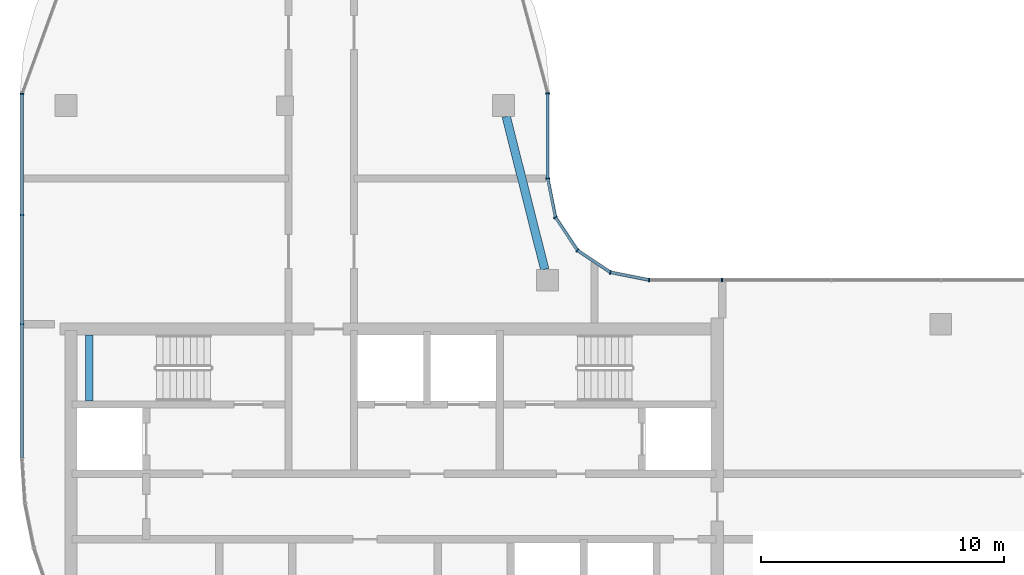
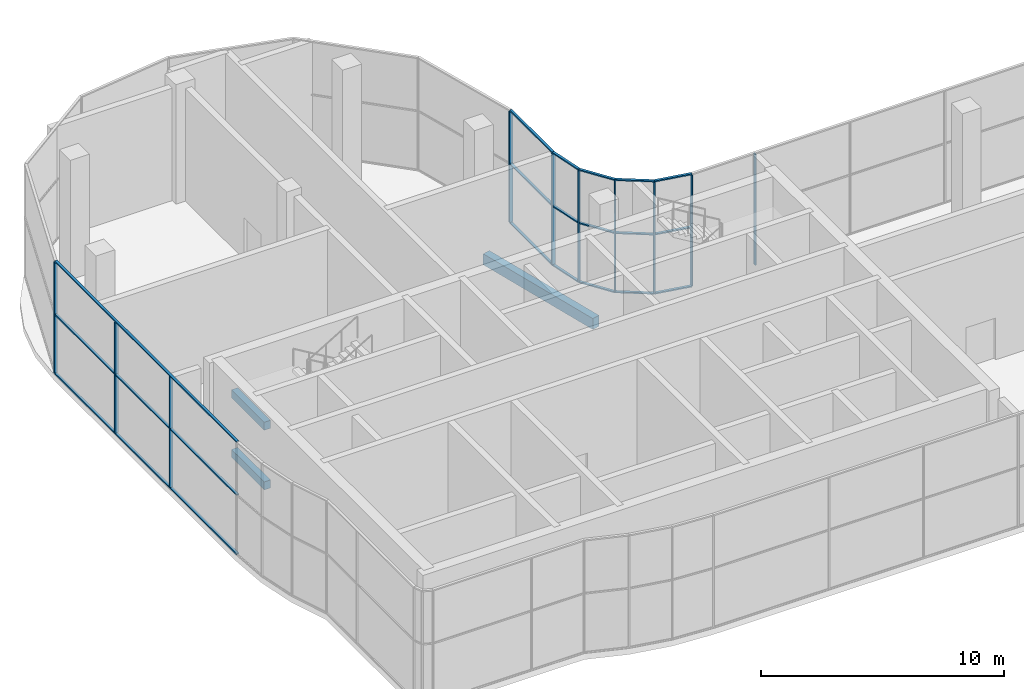
# One storey, part 3 of 19: 28 members, 3 beams, 4 elements without a shape of their own.
"""IFC4 building model written with IfcOpenShell, lengths in metres."""

from ifc_helpers import new_model, si_unit, direction, frame, origin, origin_2d, place, context, subcontext, project, spatial, rectangle, extrude, material, material_profile, profile_set, type_object, element, aggregate, save


model = new_model("IFC4")

# Units and contexts
model_context = context("Model", 3, precision=1e-05, world=origin(), true_north=direction((0.0, 1.0)))
body_context = subcontext(model_context, "Body", "Model", "MODEL_VIEW")
ifc_project = project(units=[si_unit("LENGTHUNIT", "METRE"), si_unit("AREAUNIT", "SQUARE_METRE"), si_unit("VOLUMEUNIT", "CUBIC_METRE"), si_unit("PLANEANGLEUNIT", "RADIAN"), si_unit("MASSUNIT", "GRAM", prefix="KILO")], contexts=[model_context])

# Site, building, storey
site_placement = place(None, origin())
site = spatial("IfcSite", under=ifc_project, at=site_placement, CompositionType="ELEMENT")
building_placement = place(site_placement, origin())
building = spatial("IfcBuilding", under=site, at=building_placement, Name="Ogive Portal Towers", CompositionType="ELEMENT")
storey_placement = place(building_placement, frame((0.0, 0.0, 254.89990234375)))
storey = spatial("IfcBuildingStorey", under=building, at=storey_placement, Name="L63", CompositionType="ELEMENT", Elevation=254.89990234375)

# Beams
ifc_material_1 = material(Name="Concrete C40/50", Category="concrete")
ifc_material_profile_1 = material_profile(ifc_material_1, rectangle(XDim=0.300048828125, YDim=0.39990234375, at=origin_2d()), Name="RC 300x400")
ifc_profile_set_1 = profile_set([ifc_material_profile_1], Name="Concrete C40/50")
beam_type_1 = type_object("IfcBeamType", Name="BEAM RC 300x400", PredefinedType="BEAM", material=ifc_profile_set_1)
for number, where, z_axis, x_axis, name in (
    (1, (32.449951171875, 36.35009765625, 1.10009765625), (0.0, 1.0, 0.0), (-1.0, 0.0, 0.0), "Landing beam L63"),
    (2, (32.449951171875, 36.35009765625, 4.10009765625), (0.0, 1.0, 0.0), (-1.0, 0.0, 0.0), "Landing beam L63"),
):
    element("IfcBeam", number, at=place(storey_placement, frame(where, z_axis=z_axis, x_axis=x_axis)), inside=storey, type_object=beam_type_1, Name=name, PredefinedType="BEAM", context=body_context, shape_type="SweptSolid", body=[
        extrude(rectangle(XDim=0.300048828125, YDim=0.39990234375, at=origin_2d()), origin(), (0.0, 0.0, 1.0), 2.699951171875),
    ])

# Curtain wall, members
ifc_material_2 = material(Name="Glass, clear low-iron insulated glazing", Category="glass")
curtain_wall_type = type_object("IfcCurtainWallType", Name="CW OBSERVATION WALL", PredefinedType="NOTDEFINED", material=ifc_material_2)
curtain_wall_1_placement = place(storey_placement, origin())
curtain_wall_1 = element("IfcCurtainWall", 3, at=curtain_wall_1_placement, inside=storey, type_object=curtain_wall_type, Name="A:L63:f13:cw0", PredefinedType="NOTDEFINED")
ifc_material_3 = material(Name="Aluminium 6063 anodised", Category="aluminium")
ifc_material_profile_2 = material_profile(ifc_material_3, rectangle(XDim=0.159912109375, YDim=0.06005859375, at=origin_2d()), Name="AL 60x160")
ifc_profile_set_2 = profile_set([ifc_material_profile_2], Name="Aluminium 6063 anodised")
member_type_1 = type_object("IfcMemberType", Name="CW MULLION 60x160", PredefinedType="MULLION", material=ifc_profile_set_2)
member_1_placement = place(storey_placement, frame((58.5, 41.320068359375, 0.06005859375), z_axis=(0.0, 0.0, 1.0), x_axis=(0.0, -1.0, 0.0)))
member_1 = element("IfcMember", 4, at=member_1_placement, type_object=member_type_1, Name="mullion", PredefinedType="MULLION", context=body_context, shape_type="SweptSolid", body=[
    extrude(rectangle(XDim=0.159912109375, YDim=0.06005859375, at=origin_2d()), origin(), (0.0, 0.0, 1.0), 5.580078125),
])
member_2_placement = place(storey_placement, frame((55.4921875, 41.320068359375, 0.06005859375), z_axis=(0.0, 0.0, 1.0), x_axis=(0.0, -1.0, 0.0)))
member_2 = element("IfcMember", 5, at=member_2_placement, type_object=member_type_1, Name="mullion", PredefinedType="MULLION", context=body_context, shape_type="SweptSolid", body=[
    extrude(rectangle(XDim=0.159912109375, YDim=0.06005859375, at=origin_2d()), origin(), (0.0, 0.0, 1.0), 5.580078125),
])
aggregate(curtain_wall_1, [member_1, member_2])

curtain_wall_2_placement = place(storey_placement, origin())
curtain_wall_2 = element("IfcCurtainWall", 6, at=curtain_wall_2_placement, inside=storey, type_object=curtain_wall_type, Name="A:L63:f18:cw0", PredefinedType="NOTDEFINED")
member_3_placement = place(storey_placement, frame((51.320068359375, 45.4921875, 0.06005859375), z_axis=(0.0, 0.0, 1.0), x_axis=(-1.0, 0.0, 0.0)))
member_3 = element("IfcMember", 7, at=member_3_placement, type_object=member_type_1, Name="mullion", PredefinedType="MULLION", context=body_context, shape_type="SweptSolid", body=[
    extrude(rectangle(XDim=0.159912109375, YDim=0.06005859375, at=origin_2d()), origin(), (0.0, 0.0, 1.0), 5.580078125),
])
member_4_placement = place(storey_placement, frame((51.320068359375, 48.989501953125, 0.06005859375), z_axis=(0.0, 0.0, 1.0), x_axis=(-1.0, 0.0, 0.0)))
member_4 = element("IfcMember", 8, at=member_4_placement, type_object=member_type_1, Name="mullion", PredefinedType="MULLION", context=body_context, shape_type="SweptSolid", body=[
    extrude(rectangle(XDim=0.159912109375, YDim=0.06005859375, at=origin_2d()), origin(), (0.0, 0.0, 1.0), 5.580078125),
])

curtain_wall_3_placement = place(storey_placement, origin())
curtain_wall_3 = element("IfcCurtainWall", 9, at=curtain_wall_3_placement, inside=storey, type_object=curtain_wall_type, Name="A:L63:f25:cw0", PredefinedType="NOTDEFINED")
member_5_placement = place(storey_placement, frame((29.679931640625, 48.98583984375, 0.06005859375), z_axis=(0.0, 0.0, 1.0), x_axis=(1.0, 0.0, 0.0)))
member_5 = element("IfcMember", 10, at=member_5_placement, type_object=member_type_1, Name="mullion", PredefinedType="MULLION", context=body_context, shape_type="SweptSolid", body=[
    extrude(rectangle(XDim=0.159912109375, YDim=0.06005859375, at=origin_2d()), origin(), (0.0, 0.0, 1.0), 5.580078125),
])
member_6_placement = place(storey_placement, frame((29.679931640625, 44.0, 0.06005859375), z_axis=(0.0, 0.0, 1.0), x_axis=(1.0, 0.0, 0.0)))
member_6 = element("IfcMember", 11, at=member_6_placement, type_object=member_type_1, Name="mullion", PredefinedType="MULLION", context=body_context, shape_type="SweptSolid", body=[
    extrude(rectangle(XDim=0.159912109375, YDim=0.06005859375, at=origin_2d()), origin(), (0.0, 0.0, 1.0), 5.580078125),
])
member_7_placement = place(storey_placement, frame((29.679931640625, 39.5, 0.06005859375), z_axis=(0.0, 0.0, 1.0), x_axis=(1.0, 0.0, 0.0)))
member_7 = element("IfcMember", 12, at=member_7_placement, type_object=member_type_1, Name="mullion", PredefinedType="MULLION", context=body_context, shape_type="SweptSolid", body=[
    extrude(rectangle(XDim=0.159912109375, YDim=0.06005859375, at=origin_2d()), origin(), (0.0, 0.0, 1.0), 5.580078125),
])

curtain_wall_4_placement = place(storey_placement, origin())
curtain_wall_4 = element("IfcCurtainWall", 13, at=curtain_wall_4_placement, inside=storey, type_object=curtain_wall_type, Name="A:L63:f14:cwa", PredefinedType="NOTDEFINED")
member_8_placement = place(storey_placement, frame((53.89990234375, 41.63671875, 0.06005859375), z_axis=(0.0, 0.0, 1.0), x_axis=(-0.195090322016, -0.980785280403, 0.0)))
member_8 = element("IfcMember", 14, at=member_8_placement, type_object=member_type_1, Name="mullion", PredefinedType="MULLION", context=body_context, shape_type="SweptSolid", body=[
    extrude(rectangle(XDim=0.159912109375, YDim=0.06005859375, at=origin_2d()), origin(), (0.0, 0.0, 1.0), 5.580078125),
])
member_9_placement = place(storey_placement, frame((52.543212890625, 42.543212890625, 0.06005859375), z_axis=(0.0, 0.0, 1.0), x_axis=(-0.55557023302, -0.831469612303, 0.0)))
member_9 = element("IfcMember", 15, at=member_9_placement, type_object=member_type_1, Name="mullion", PredefinedType="MULLION", context=body_context, shape_type="SweptSolid", body=[
    extrude(rectangle(XDim=0.159912109375, YDim=0.06005859375, at=origin_2d()), origin(), (0.0, 0.0, 1.0), 5.580078125),
])
member_10_placement = place(storey_placement, frame((51.63671875, 43.89990234375, 0.06005859375), z_axis=(0.0, 0.0, 1.0), x_axis=(-0.831469612303, -0.55557023302, 0.0)))
member_10 = element("IfcMember", 16, at=member_10_placement, type_object=member_type_1, Name="mullion", PredefinedType="MULLION", context=body_context, shape_type="SweptSolid", body=[
    extrude(rectangle(XDim=0.159912109375, YDim=0.06005859375, at=origin_2d()), origin(), (0.0, 0.0, 1.0), 5.580078125),
])

# Member
ifc_material_profile_3 = material_profile(ifc_material_3, rectangle(XDim=0.1201171875, YDim=0.06005859375, at=origin_2d()), Name="AL 120x60")
ifc_profile_set_3 = profile_set([ifc_material_profile_3], Name="Aluminium 6063 anodised")
member_type_2 = type_object("IfcMemberType", Name="CW TRANSOM 60x120", PredefinedType="USERDEFINED", material=ifc_profile_set_3)
member_11_placement = place(storey_placement, frame((51.320068359375, 45.4921875, 0.030029296875), z_axis=(0.0, 1.0, 0.0), x_axis=(-1.0, 0.0, 0.0)))
member_11 = element("IfcMember", 17, at=member_11_placement, type_object=member_type_2, Name="transom", ObjectType="TRANSOM", PredefinedType="USERDEFINED", context=body_context, shape_type="SweptSolid", body=[
    extrude(rectangle(XDim=0.1201171875, YDim=0.06005859375, at=origin_2d()), origin(), (0.0, 0.0, 1.0), 3.497314453125),
])

member_12_placement = place(storey_placement, frame((51.320068359375, 45.4921875, 3.0), z_axis=(0.0, 1.0, 0.0), x_axis=(-1.0, 0.0, 0.0)))
member_12 = element("IfcMember", 18, at=member_12_placement, type_object=member_type_2, Name="transom", ObjectType="TRANSOM", PredefinedType="USERDEFINED", context=body_context, shape_type="SweptSolid", body=[
    extrude(rectangle(XDim=0.1201171875, YDim=0.06005859375, at=origin_2d()), origin(), (0.0, 0.0, 1.0), 3.497314453125),
])

member_13_placement = place(storey_placement, frame((51.320068359375, 45.4921875, 5.670166015625), z_axis=(0.0, 1.0, 0.0), x_axis=(-1.0, 0.0, 0.0)))
member_13 = element("IfcMember", 19, at=member_13_placement, type_object=member_type_2, Name="transom", ObjectType="TRANSOM", PredefinedType="USERDEFINED", context=body_context, shape_type="SweptSolid", body=[
    extrude(rectangle(XDim=0.1201171875, YDim=0.06005859375, at=origin_2d()), origin(), (0.0, 0.0, 1.0), 3.497314453125),
])

aggregate(curtain_wall_2, [member_11, member_12, member_13, member_3, member_4])

member_14_placement = place(storey_placement, frame((29.679931640625, 48.98583984375, 0.030029296875), z_axis=(0.0, -1.0, 0.0), x_axis=(1.0, 0.0, 0.0)))
member_14 = element("IfcMember", 20, at=member_14_placement, type_object=member_type_2, Name="transom", ObjectType="TRANSOM", PredefinedType="USERDEFINED", context=body_context, shape_type="SweptSolid", body=[
    extrude(rectangle(XDim=0.1201171875, YDim=0.06005859375, at=origin_2d()), origin(), (0.0, 0.0, 1.0), 14.983154296875),
])

member_15_placement = place(storey_placement, frame((29.679931640625, 48.98583984375, 3.0), z_axis=(0.0, -1.0, 0.0), x_axis=(1.0, 0.0, 0.0)))
member_15 = element("IfcMember", 21, at=member_15_placement, type_object=member_type_2, Name="transom", ObjectType="TRANSOM", PredefinedType="USERDEFINED", context=body_context, shape_type="SweptSolid", body=[
    extrude(rectangle(XDim=0.1201171875, YDim=0.06005859375, at=origin_2d()), origin(), (0.0, 0.0, 1.0), 14.983154296875),
])

member_16_placement = place(storey_placement, frame((29.679931640625, 48.98583984375, 5.670166015625), z_axis=(0.0, -1.0, 0.0), x_axis=(1.0, 0.0, 0.0)))
member_16 = element("IfcMember", 22, at=member_16_placement, type_object=member_type_2, Name="transom", ObjectType="TRANSOM", PredefinedType="USERDEFINED", context=body_context, shape_type="SweptSolid", body=[
    extrude(rectangle(XDim=0.1201171875, YDim=0.06005859375, at=origin_2d()), origin(), (0.0, 0.0, 1.0), 14.983154296875),
])

aggregate(curtain_wall_3, [member_14, member_15, member_16, member_5, member_6, member_7])

member_17_placement = place(storey_placement, frame((55.4921875, 41.320068359375, 0.030029296875), z_axis=(-0.980794097614, 0.195045989667, 0.0), x_axis=(-0.195045989667, -0.980794097614, 0.0)))
member_17 = element("IfcMember", 23, at=member_17_placement, type_object=member_type_2, Name="transom", ObjectType="TRANSOM", PredefinedType="USERDEFINED", context=body_context, shape_type="SweptSolid", body=[
    extrude(rectangle(XDim=0.1201171875, YDim=0.06005859375, at=origin_2d()), origin(), (0.0, 0.0, 1.0), 1.62353515625),
])

member_18_placement = place(storey_placement, frame((55.4921875, 41.320068359375, 3.0), z_axis=(-0.980794097614, 0.195045989667, 0.0), x_axis=(-0.195045989667, -0.980794097614, 0.0)))
member_18 = element("IfcMember", 24, at=member_18_placement, type_object=member_type_2, Name="transom", ObjectType="TRANSOM", PredefinedType="USERDEFINED", context=body_context, shape_type="SweptSolid", body=[
    extrude(rectangle(XDim=0.1201171875, YDim=0.06005859375, at=origin_2d()), origin(), (0.0, 0.0, 1.0), 1.62353515625),
])

member_19_placement = place(storey_placement, frame((55.4921875, 41.320068359375, 5.670166015625), z_axis=(-0.980794097614, 0.195045989667, 0.0), x_axis=(-0.195045989667, -0.980794097614, 0.0)))
member_19 = element("IfcMember", 25, at=member_19_placement, type_object=member_type_2, Name="transom", ObjectType="TRANSOM", PredefinedType="USERDEFINED", context=body_context, shape_type="SweptSolid", body=[
    extrude(rectangle(XDim=0.1201171875, YDim=0.06005859375, at=origin_2d()), origin(), (0.0, 0.0, 1.0), 1.62353515625),
])

member_20_placement = place(storey_placement, frame((53.89990234375, 41.63671875, 0.030029296875), z_axis=(-0.83147436008, 0.555563127403, 0.0), x_axis=(-0.555563127403, -0.83147436008, 0.0)))
member_20 = element("IfcMember", 26, at=member_20_placement, type_object=member_type_2, Name="transom", ObjectType="TRANSOM", PredefinedType="USERDEFINED", context=body_context, shape_type="SweptSolid", body=[
    extrude(rectangle(XDim=0.1201171875, YDim=0.06005859375, at=origin_2d()), origin(), (0.0, 0.0, 1.0), 1.631591796875),
])

member_21_placement = place(storey_placement, frame((53.89990234375, 41.63671875, 3.0), z_axis=(-0.83147436008, 0.555563127403, 0.0), x_axis=(-0.555563127403, -0.83147436008, 0.0)))
member_21 = element("IfcMember", 27, at=member_21_placement, type_object=member_type_2, Name="transom", ObjectType="TRANSOM", PredefinedType="USERDEFINED", context=body_context, shape_type="SweptSolid", body=[
    extrude(rectangle(XDim=0.1201171875, YDim=0.06005859375, at=origin_2d()), origin(), (0.0, 0.0, 1.0), 1.631591796875),
])

member_22_placement = place(storey_placement, frame((53.89990234375, 41.63671875, 5.670166015625), z_axis=(-0.83147436008, 0.555563127403, 0.0), x_axis=(-0.555563127403, -0.83147436008, 0.0)))
member_22 = element("IfcMember", 28, at=member_22_placement, type_object=member_type_2, Name="transom", ObjectType="TRANSOM", PredefinedType="USERDEFINED", context=body_context, shape_type="SweptSolid", body=[
    extrude(rectangle(XDim=0.1201171875, YDim=0.06005859375, at=origin_2d()), origin(), (0.0, 0.0, 1.0), 1.631591796875),
])

member_23_placement = place(storey_placement, frame((52.543212890625, 42.543212890625, 0.030029296875), z_axis=(-0.555563127403, 0.83147436008, 0.0), x_axis=(-0.83147436008, -0.555563127403, 0.0)))
member_23 = element("IfcMember", 29, at=member_23_placement, type_object=member_type_2, Name="transom", ObjectType="TRANSOM", PredefinedType="USERDEFINED", context=body_context, shape_type="SweptSolid", body=[
    extrude(rectangle(XDim=0.1201171875, YDim=0.06005859375, at=origin_2d()), origin(), (0.0, 0.0, 1.0), 1.631591796875),
])

member_24_placement = place(storey_placement, frame((52.543212890625, 42.543212890625, 3.0), z_axis=(-0.555563127403, 0.83147436008, 0.0), x_axis=(-0.83147436008, -0.555563127403, 0.0)))
member_24 = element("IfcMember", 30, at=member_24_placement, type_object=member_type_2, Name="transom", ObjectType="TRANSOM", PredefinedType="USERDEFINED", context=body_context, shape_type="SweptSolid", body=[
    extrude(rectangle(XDim=0.1201171875, YDim=0.06005859375, at=origin_2d()), origin(), (0.0, 0.0, 1.0), 1.631591796875),
])

member_25_placement = place(storey_placement, frame((52.543212890625, 42.543212890625, 5.670166015625), z_axis=(-0.555563127403, 0.83147436008, 0.0), x_axis=(-0.83147436008, -0.555563127403, 0.0)))
member_25 = element("IfcMember", 31, at=member_25_placement, type_object=member_type_2, Name="transom", ObjectType="TRANSOM", PredefinedType="USERDEFINED", context=body_context, shape_type="SweptSolid", body=[
    extrude(rectangle(XDim=0.1201171875, YDim=0.06005859375, at=origin_2d()), origin(), (0.0, 0.0, 1.0), 1.631591796875),
])

member_26_placement = place(storey_placement, frame((51.63671875, 43.89990234375, 0.030029296875), z_axis=(-0.195045989667, 0.980794097614, 0.0), x_axis=(-0.980794097614, -0.195045989667, 0.0)))
member_26 = element("IfcMember", 32, at=member_26_placement, type_object=member_type_2, Name="transom", ObjectType="TRANSOM", PredefinedType="USERDEFINED", context=body_context, shape_type="SweptSolid", body=[
    extrude(rectangle(XDim=0.1201171875, YDim=0.06005859375, at=origin_2d()), origin(), (0.0, 0.0, 1.0), 1.62353515625),
])

member_27_placement = place(storey_placement, frame((51.63671875, 43.89990234375, 3.0), z_axis=(-0.195045989667, 0.980794097614, 0.0), x_axis=(-0.980794097614, -0.195045989667, 0.0)))
member_27 = element("IfcMember", 33, at=member_27_placement, type_object=member_type_2, Name="transom", ObjectType="TRANSOM", PredefinedType="USERDEFINED", context=body_context, shape_type="SweptSolid", body=[
    extrude(rectangle(XDim=0.1201171875, YDim=0.06005859375, at=origin_2d()), origin(), (0.0, 0.0, 1.0), 1.62353515625),
])

member_28_placement = place(storey_placement, frame((51.63671875, 43.89990234375, 5.670166015625), z_axis=(-0.195045989667, 0.980794097614, 0.0), x_axis=(-0.980794097614, -0.195045989667, 0.0)))
member_28 = element("IfcMember", 34, at=member_28_placement, type_object=member_type_2, Name="transom", ObjectType="TRANSOM", PredefinedType="USERDEFINED", context=body_context, shape_type="SweptSolid", body=[
    extrude(rectangle(XDim=0.1201171875, YDim=0.06005859375, at=origin_2d()), origin(), (0.0, 0.0, 1.0), 1.62353515625),
])

aggregate(curtain_wall_4, [member_17, member_18, member_19, member_20, member_21, member_22, member_23, member_24, member_25, member_26, member_27, member_28, member_8, member_9, member_10])

# Beam
ifc_material_4 = material(Name="Concrete C50/60", Category="concrete")
ifc_material_profile_4 = material_profile(ifc_material_4, rectangle(XDim=0.35009765625, YDim=0.550048828125, at=origin_2d()), Name="RC 350x550")
ifc_profile_set_4 = profile_set([ifc_material_profile_4], Name="Concrete C50/60")
beam_type_2 = type_object("IfcBeamType", Name="SPANDREL BEAM RC 350x550", PredefinedType="BEAM", material=ifc_profile_set_4)
beam_placement = place(storey_placement, frame((49.61328125, 48.050048828125, -0.574951171875), z_axis=(0.244129438789, -0.969742655098, 0.0), x_axis=(0.969742655098, 0.244129438789, 0.0)))
element("IfcBeam", 35, at=beam_placement, inside=storey, type_object=beam_type_2, Name="Spandrel beam L63", PredefinedType="BEAM", context=body_context, shape_type="SweptSolid", body=[
    extrude(rectangle(XDim=0.35009765625, YDim=0.550048828125, at=origin_2d()), origin(), (0.0, 0.0, 1.0), 6.486328125),
])

save(model, "model.ifc")
